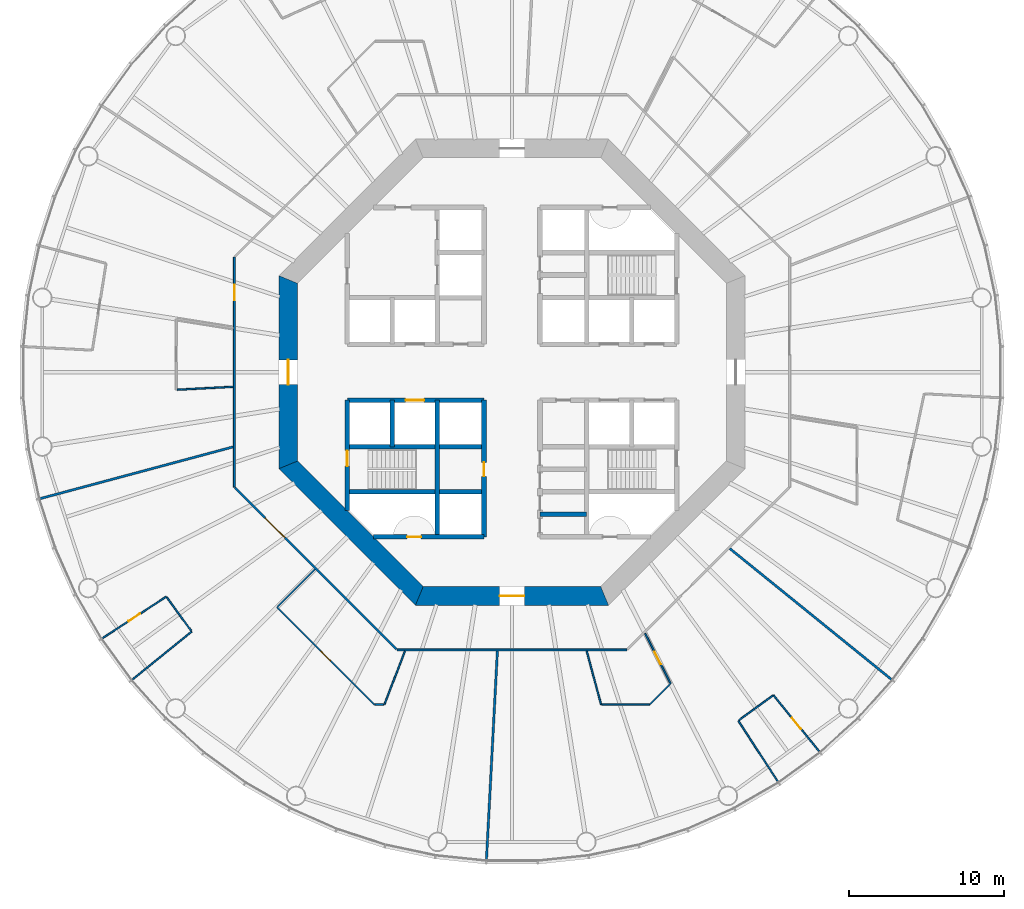
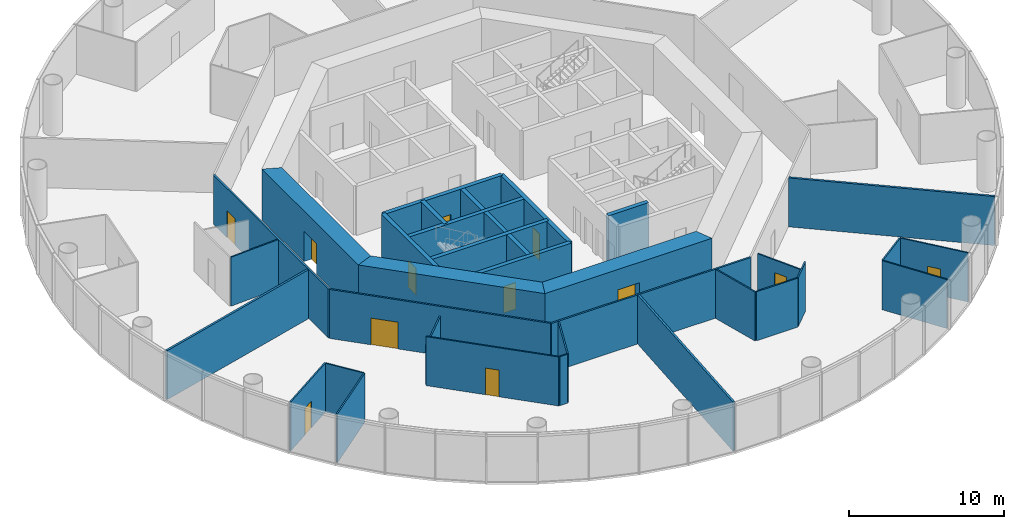
# One storey, part 3 of 13: 33 walls, 12 doors, 12 openings.
"""IFC4 building model written with IfcOpenShell, lengths in metres."""

from ifc_helpers import new_model, si_unit, direction, frame, frame_2d, origin, place, context, subcontext, project, spatial, polyline, rectangle, outline, extrude, material, layer, layer_set, type_object, element, fill, save


model = new_model("IFC4")

# Units and contexts
model_context = context("Model", 3, precision=1e-05, world=origin(), true_north=direction((0.0, 1.0)))
body_context = subcontext(model_context, "Body", "Model", "MODEL_VIEW")
ifc_project = project(units=[si_unit("LENGTHUNIT", "METRE"), si_unit("AREAUNIT", "SQUARE_METRE"), si_unit("VOLUMEUNIT", "CUBIC_METRE"), si_unit("PLANEANGLEUNIT", "RADIAN"), si_unit("MASSUNIT", "GRAM", prefix="KILO")], contexts=[model_context])

# Site, building, storey
site_placement = place(None, origin())
site = spatial("IfcSite", under=ifc_project, at=site_placement, CompositionType="ELEMENT")
building_placement = place(site_placement, origin())
building = spatial("IfcBuilding", under=site, at=building_placement, Name="Entoto Ring Tower", CompositionType="ELEMENT")
storey_placement = place(building_placement, frame((0.0, 0.0, 88.0)))
storey = spatial("IfcBuildingStorey", under=building, at=storey_placement, Name="L19", CompositionType="ELEMENT", Elevation=88.0)

# Wall, opening, door
ifc_material_1 = material(Name="Concrete C40/50", Category="concrete")
ifc_layer_1 = layer(ifc_material_1, 0.300048828125)
ifc_layer_set_1 = layer_set([ifc_layer_1], Name="Concrete C40/50")
wall_type_1 = type_object("IfcWallType", Name="Core enclosure wall 300 mm reinforced concrete", PredefinedType="SOLIDWALL", material=ifc_layer_set_1)
wall_1_placement = place(storey_placement, frame((88.199951171875, 69.39990234375, 0.0), z_axis=(0.0, 0.0, 1.0), x_axis=(0.0, 1.0, 0.0)))
wall_1 = element("IfcWall", 1, at=wall_1_placement, inside=storey, type_object=wall_type_1, Name="wall-L19-009", PredefinedType="SOLIDWALL", context=body_context, shape_type="SweptSolid", body=[
    extrude(rectangle(XDim=8.800048828125, YDim=0.300048828125, at=frame_2d((4.39990234375, 0.0))), origin(), (0.0, 0.0, 1.0), 3.85009765625),
])
opening_1_placement = place(wall_1_placement, frame((3.89990234375, 0.0, 0.0)))
opening_1 = element("IfcOpeningElement", 2, at=opening_1_placement, cuts=wall_1, Name="Opening K-57", PredefinedType="OPENING", context=body_context, shape_type="SweptSolid", body=[
    extrude(rectangle(XDim=0.89990234375, YDim=2.10009765625, at=frame_2d((0.449951171875, 1.050048828125))), frame((0.0, 0.16015625, 0.0), z_axis=(0.0, -1.0, 0.0), x_axis=(1.0, 0.0, 0.0)), (0.0, 0.0, 1.0), 0.320068359375),
])
ifc_material_2 = material(Name="Steel door leaf, fire rated", Category="steel")
ifc_layer_2 = layer(ifc_material_2, 0.050048828125)
ifc_layer_set_2 = layer_set([ifc_layer_2], Name="Steel door leaf, fire rated")
door_type_1 = type_object("IfcDoorType", Name="Core door 900 x 2100 single leaf", OperationType="NOTDEFINED", PredefinedType="DOOR", material=ifc_layer_set_2)
door_1_placement = place(opening_1_placement, origin())
door_1 = element("IfcDoor", 3, at=door_1_placement, inside=storey, type_object=door_type_1, Name="Door K-57", OperationType="SINGLE_SWING_RIGHT", OverallHeight=2.10009765625, OverallWidth=0.89990234375, PredefinedType="DOOR", context=body_context, shape_type="SweptSolid", body=[
    extrude(rectangle(XDim=0.89990234375, YDim=2.10009765625, at=frame_2d((0.449951171875, 1.050048828125))), frame((0.0, 0.02490234375, 0.0), z_axis=(0.0, -1.0, 0.0), x_axis=(1.0, 0.0, 0.0)), (0.0, 0.0, 1.0), 0.050048828125),
])
fill(opening_1, door_1)

# Walls
wall_2_placement = place(storey_placement, frame((85.199951171875, 69.39990234375, 0.0), z_axis=(0.0, 0.0, 1.0), x_axis=(0.0, 1.0, 0.0)))
element("IfcWall", 4, at=wall_2_placement, inside=storey, type_object=wall_type_1, Name="wall-L19-011", PredefinedType="SOLIDWALL", context=body_context, shape_type="SweptSolid", body=[
    extrude(rectangle(XDim=8.800048828125, YDim=0.300048828125, at=frame_2d((4.39990234375, 0.0))), origin(), (0.0, 0.0, 1.0), 3.85009765625),
])
wall_3_placement = place(storey_placement, frame((82.300048828125, 75.199951171875, 0.0), z_axis=(0.0, 0.0, 1.0), x_axis=(0.0, 1.0, 0.0)))
element("IfcWall", 5, at=wall_3_placement, inside=storey, type_object=wall_type_1, Name="wall-L19-013", PredefinedType="SOLIDWALL", context=body_context, shape_type="SweptSolid", body=[
    extrude(rectangle(XDim=3.0, YDim=0.300048828125, at=frame_2d((1.5, 0.0))), origin(), (0.0, 0.0, 1.0), 3.85009765625),
])

# Wall, opening, door
wall_4_placement = place(storey_placement, frame((79.39990234375, 71.083984375, 0.0), z_axis=(0.0, 0.0, 1.0), x_axis=(0.0, 1.0, 0.0)))
wall_4 = element("IfcWall", 6, at=wall_4_placement, inside=storey, type_object=wall_type_1, Name="wall-L19-015", PredefinedType="SOLIDWALL", context=body_context, shape_type="SweptSolid", body=[
    extrude(rectangle(XDim=7.115966796875, YDim=0.300048828125, at=frame_2d((3.55810546875, 0.0))), origin(), (0.0, 0.0, 1.0), 3.85009765625),
])
opening_2_placement = place(wall_4_placement, frame((2.8662109375, 0.0, 0.0)))
opening_2 = element("IfcOpeningElement", 7, at=opening_2_placement, cuts=wall_4, Name="Opening K-67", PredefinedType="OPENING", context=body_context, shape_type="SweptSolid", body=[
    extrude(rectangle(XDim=1.0, YDim=2.10009765625, at=frame_2d((0.5, 1.050048828125))), frame((0.0, 0.16015625, 0.0), z_axis=(0.0, -1.0, 0.0), x_axis=(1.0, 0.0, 0.0)), (0.0, 0.0, 1.0), 0.320068359375),
])
ifc_material_3 = material(Name="Steel door leaf, fire rated", Category="steel")
ifc_layer_3 = layer(ifc_material_3, 0.050048828125)
ifc_layer_set_3 = layer_set([ifc_layer_3], Name="Steel door leaf, fire rated")
door_type_2 = type_object("IfcDoorType", Name="Fire door FD60 1000 x 2100 single leaf", OperationType="NOTDEFINED", PredefinedType="DOOR", material=ifc_layer_set_3)
door_2_placement = place(opening_2_placement, frame((1.0, 0.0, 0.0), z_axis=(0.0, 0.0, 1.0), x_axis=(-1.0, 0.0, 0.0)))
door_2 = element("IfcDoor", 8, at=door_2_placement, inside=storey, type_object=door_type_2, Name="Door K-67", OperationType="SINGLE_SWING_LEFT", OverallHeight=2.10009765625, OverallWidth=1.0, PredefinedType="DOOR", context=body_context, shape_type="SweptSolid", body=[
    extrude(rectangle(XDim=1.0, YDim=2.10009765625, at=frame_2d((0.5, 1.050048828125))), frame((0.0, 0.02490234375, 0.0), z_axis=(0.0, -1.0, 0.0), x_axis=(1.0, 0.0, 0.0)), (0.0, 0.0, 1.0), 0.050048828125),
])
fill(opening_2, door_2)

wall_5_placement = place(storey_placement, frame((81.083984375, 69.39990234375, 0.0), z_axis=(0.0, 0.0, 1.0), x_axis=(1.0, 0.0, 0.0)))
wall_5 = element("IfcWall", 9, at=wall_5_placement, inside=storey, type_object=wall_type_1, Name="wall-L19-017", PredefinedType="SOLIDWALL", context=body_context, shape_type="SweptSolid", body=[
    extrude(rectangle(XDim=7.115966796875, YDim=0.300048828125, at=frame_2d((3.55810546875, 0.0))), origin(), (0.0, 0.0, 1.0), 3.85009765625),
])
opening_3_placement = place(wall_5_placement, frame((2.166015625, 0.0, 0.0)))
opening_3 = element("IfcOpeningElement", 10, at=opening_3_placement, cuts=wall_5, Name="Opening K-74", PredefinedType="OPENING", context=body_context, shape_type="SweptSolid", body=[
    extrude(rectangle(XDim=0.89990234375, YDim=2.10009765625, at=frame_2d((0.449951171875, 1.050048828125))), frame((0.0, 0.16015625, 0.0), z_axis=(0.0, -1.0, 0.0), x_axis=(1.0, 0.0, 0.0)), (0.0, 0.0, 1.0), 0.320068359375),
])
ifc_material_4 = material(Name="Steel door leaf, fire rated", Category="steel")
ifc_layer_4 = layer(ifc_material_4, 0.050048828125)
ifc_layer_set_4 = layer_set([ifc_layer_4], Name="Steel door leaf, fire rated")
door_type_3 = type_object("IfcDoorType", Name="Riser door FD60 900 x 2100 single leaf", OperationType="NOTDEFINED", PredefinedType="DOOR", material=ifc_layer_set_4)
door_3_placement = place(opening_3_placement, origin())
door_3 = element("IfcDoor", 11, at=door_3_placement, inside=storey, type_object=door_type_3, Name="Door K-74", OperationType="SINGLE_SWING_RIGHT", OverallHeight=2.10009765625, OverallWidth=0.89990234375, PredefinedType="DOOR", context=body_context, shape_type="SweptSolid", body=[
    extrude(rectangle(XDim=0.89990234375, YDim=2.10009765625, at=frame_2d((0.449951171875, 1.050048828125))), frame((0.0, 0.02490234375, 0.0), z_axis=(0.0, -1.0, 0.0), x_axis=(1.0, 0.0, 0.0)), (0.0, 0.0, 1.0), 0.050048828125),
])
fill(opening_3, door_3)

# Walls
wall_6_placement = place(storey_placement, frame((91.800048828125, 70.85009765625, 0.0), z_axis=(0.0, 0.0, 1.0), x_axis=(1.0, 0.0, 0.0)))
element("IfcWall", 12, at=wall_6_placement, inside=storey, type_object=wall_type_1, Name="wall-L19-019", PredefinedType="SOLIDWALL", context=body_context, shape_type="SweptSolid", body=[
    extrude(rectangle(XDim=3.0, YDim=0.300048828125, at=frame_2d((1.5, 0.0))), origin(), (0.0, 0.0, 1.0), 3.85009765625),
])
for number, where, z_axis, x_axis, name in (
    (13, (79.39990234375, 72.300048828125, 0.0), (0.0, 0.0, 1.0), (1.0, 0.0, 0.0), "wall-L19-020"),
    (14, (79.39990234375, 75.199951171875, 0.0), (0.0, 0.0, 1.0), (1.0, 0.0, 0.0), "wall-L19-023"),
):
    element("IfcWall", number, at=place(storey_placement, frame(where, z_axis=z_axis, x_axis=x_axis)), inside=storey, type_object=wall_type_1, Name=name, PredefinedType="SOLIDWALL", context=body_context, shape_type="SweptSolid", body=[
        extrude(rectangle(XDim=8.800048828125, YDim=0.300048828125, at=frame_2d((4.39990234375, 0.0))), origin(), (0.0, 0.0, 1.0), 3.85009765625),
    ])

# Wall, opening, door
wall_7_placement = place(storey_placement, frame((79.39990234375, 78.199951171875, 0.0), z_axis=(0.0, 0.0, 1.0), x_axis=(1.0, 0.0, 0.0)))
wall_7 = element("IfcWall", 15, at=wall_7_placement, inside=storey, type_object=wall_type_1, Name="wall-L19-025", PredefinedType="SOLIDWALL", context=body_context, shape_type="SweptSolid", body=[
    extrude(rectangle(XDim=8.800048828125, YDim=0.300048828125, at=frame_2d((4.39990234375, 0.0))), origin(), (0.0, 0.0, 1.0), 3.85009765625),
])
opening_4_placement = place(wall_7_placement, frame((3.75, 0.0, 0.0)))
opening_4 = element("IfcOpeningElement", 16, at=opening_4_placement, cuts=wall_7, Name="Opening LD", PredefinedType="OPENING", context=body_context, shape_type="SweptSolid", body=[
    extrude(rectangle(XDim=1.199951171875, YDim=2.10009765625, at=frame_2d((0.60009765625, 1.050048828125))), frame((0.0, 0.16015625, 0.0), z_axis=(0.0, -1.0, 0.0), x_axis=(1.0, 0.0, 0.0)), (0.0, 0.0, 1.0), 0.320068359375),
])
ifc_material_5 = material(Name="Steel and glass door leaf", Category="steel")
ifc_layer_5 = layer(ifc_material_5, 0.050048828125)
ifc_layer_set_5 = layer_set([ifc_layer_5], Name="Steel and glass door leaf")
door_type_4 = type_object("IfcDoorType", Name="Landing door 1200 x 2100 sliding", OperationType="DOUBLE_DOOR_SLIDING", PredefinedType="DOOR", material=ifc_layer_set_5)
door_4_placement = place(opening_4_placement, origin())
door_4 = element("IfcDoor", 17, at=door_4_placement, inside=storey, type_object=door_type_4, Name="Landing door LB6-LR", OperationType="SLIDING_TO_RIGHT", OverallHeight=2.10009765625, OverallWidth=1.199951171875, PredefinedType="DOOR", context=body_context, shape_type="SweptSolid", body=[
    extrude(rectangle(XDim=1.199951171875, YDim=2.10009765625, at=frame_2d((0.60009765625, 1.050048828125))), frame((0.0, 0.02490234375, 0.0), z_axis=(0.0, -1.0, 0.0), x_axis=(1.0, 0.0, 0.0)), (0.0, 0.0, 1.0), 0.050048828125),
])
fill(opening_4, door_4)

ifc_material_6 = material(Name="Concrete C60/75", Category="concrete")
ifc_layer_6 = layer(ifc_material_6, 1.199951171875)
ifc_layer_set_6 = layer_set([ifc_layer_6], Name="Concrete C60/75")
wall_type_2 = type_object("IfcWallType", Name="Core shear wall 1200 mm reinforced concrete C60/75", PredefinedType="SHEAR", material=ifc_layer_set_6)
wall_8_placement = place(storey_placement, frame((75.60009765625, 85.964599609375, 0.0), z_axis=(0.0, 0.0, 1.0), x_axis=(0.0, -1.0, 0.0)))
wall_8 = element("IfcWall", 18, at=wall_8_placement, inside=storey, type_object=wall_type_2, Name="wall-L19-core-4", PredefinedType="SHEAR", context=body_context, shape_type="SweptSolid", body=[
    extrude(outline(polyline([(-0.24853515625, -0.60009765625), (12.177734375, -0.60009765625), (11.6806640625, 0.60009765625), (0.24853515625, 0.60009765625), (-0.24853515625, -0.60009765625)])), origin(), (0.0, 0.0, 1.0), 4.0),
])
opening_5_placement = place(wall_8_placement, frame((5.164794921875, 0.0, 0.0)))
opening_5 = element("IfcOpeningElement", 19, at=opening_5_placement, cuts=wall_8, Name="Opening K-03", PredefinedType="OPENING", context=body_context, shape_type="SweptSolid", body=[
    extrude(rectangle(XDim=1.60009765625, YDim=2.39990234375, at=frame_2d((0.800048828125, 1.199951171875))), frame((0.0, 0.60986328125, 0.0), z_axis=(0.0, -1.0, 0.0), x_axis=(1.0, 0.0, 0.0)), (0.0, 0.0, 1.0), 1.219970703125),
])
ifc_material_7 = material(Name="Steel door leaf, fire rated", Category="steel")
ifc_layer_7 = layer(ifc_material_7, 0.050048828125)
ifc_layer_set_7 = layer_set([ifc_layer_7], Name="Steel door leaf, fire rated")
door_type_5 = type_object("IfcDoorType", Name="Entrance door FD60 1600 x 2400 double leaf", OperationType="DOUBLE_DOOR_SINGLE_SWING", PredefinedType="DOOR", material=ifc_layer_set_7)
door_5_placement = place(opening_5_placement, origin())
door_5 = element("IfcDoor", 20, at=door_5_placement, inside=storey, type_object=door_type_5, Name="Entrance door K-03", OperationType="DOUBLE_DOOR_SINGLE_SWING", OverallHeight=2.39990234375, OverallWidth=1.60009765625, PredefinedType="DOOR", context=body_context, shape_type="SweptSolid", body=[
    extrude(rectangle(XDim=1.60009765625, YDim=2.39990234375, at=frame_2d((0.800048828125, 1.199951171875))), frame((0.0, 0.02490234375, 0.0), z_axis=(0.0, -1.0, 0.0), x_axis=(1.0, 0.0, 0.0)), (0.0, 0.0, 1.0), 0.050048828125),
])
fill(opening_5, door_5)

# Wall
wall_9_placement = place(storey_placement, frame((75.60009765625, 74.035400390625, 0.0), z_axis=(0.0, 0.0, 1.0), x_axis=(0.707106781187, -0.707106781187, 0.0)))
element("IfcWall", 21, at=wall_9_placement, inside=storey, type_object=wall_type_2, Name="wall-L19-core-5", PredefinedType="SHEAR", context=body_context, shape_type="SweptSolid", body=[
    extrude(outline(polyline([(-0.24853515625, -0.60009765625), (12.177734375, -0.60009765625), (11.6806640625, 0.60009765625), (0.24853515625, 0.60009765625), (-0.24853515625, -0.60009765625)])), origin(), (0.0, 0.0, 1.0), 4.0),
])

# Wall, opening, door
wall_10_placement = place(storey_placement, frame((84.035400390625, 65.60009765625, 0.0), z_axis=(0.0, 0.0, 1.0), x_axis=(1.0, 0.0, 0.0)))
wall_10 = element("IfcWall", 22, at=wall_10_placement, inside=storey, type_object=wall_type_2, Name="wall-L19-core-6", PredefinedType="SHEAR", context=body_context, shape_type="SweptSolid", body=[
    extrude(outline(polyline([(-0.24853515625, -0.60009765625), (12.177734375, -0.60009765625), (11.6806640625, 0.60009765625), (0.24853515625, 0.60009765625), (-0.24853515625, -0.60009765625)])), origin(), (0.0, 0.0, 1.0), 4.0),
])
opening_6_placement = place(wall_10_placement, frame((5.164794921875, 0.0, 0.0)))
opening_6 = element("IfcOpeningElement", 23, at=opening_6_placement, cuts=wall_10, Name="Opening K-04", PredefinedType="OPENING", context=body_context, shape_type="SweptSolid", body=[
    extrude(rectangle(XDim=1.60009765625, YDim=2.39990234375, at=frame_2d((0.800048828125, 1.199951171875))), frame((0.0, 0.60986328125, 0.0), z_axis=(0.0, -1.0, 0.0), x_axis=(1.0, 0.0, 0.0)), (0.0, 0.0, 1.0), 1.219970703125),
])
door_6_placement = place(opening_6_placement, origin())
door_6 = element("IfcDoor", 24, at=door_6_placement, inside=storey, type_object=door_type_5, Name="Entrance door K-04", OperationType="DOUBLE_DOOR_SINGLE_SWING", OverallHeight=2.39990234375, OverallWidth=1.60009765625, PredefinedType="DOOR", context=body_context, shape_type="SweptSolid", body=[
    extrude(rectangle(XDim=1.60009765625, YDim=2.39990234375, at=frame_2d((0.800048828125, 1.199951171875))), frame((0.0, 0.02490234375, 0.0), z_axis=(0.0, -1.0, 0.0), x_axis=(1.0, 0.0, 0.0)), (0.0, 0.0, 1.0), 0.050048828125),
])
fill(opening_6, door_6)

ifc_material_8 = material(Name="Fire-resisting plasterboard on steel studs", Category="steel")
ifc_layer_8 = layer(ifc_material_8, 0.125)
ifc_layer_set_8 = layer_set([ifc_layer_8], Name="Fire-resisting plasterboard on steel studs")
wall_type_3 = type_object("IfcWallType", Name="Corridor wall 125 mm one-hour plasterboard on steel studs", PredefinedType="PARTITIONING", material=ifc_layer_set_8)
wall_11_placement = place(storey_placement, frame((72.137451171875, 72.60107421875, 0.0), z_axis=(0.0, 0.0, 1.0), x_axis=(0.0, 1.0, 0.0)))
wall_11 = element("IfcWall", 25, at=wall_11_placement, inside=storey, type_object=wall_type_3, Name="partition-L19-001", PredefinedType="PARTITIONING", context=body_context, shape_type="SweptSolid", body=[
    extrude(rectangle(XDim=14.7978515625, YDim=0.125, at=frame_2d((7.39892578125, 0.0))), origin(), (0.0, 0.0, 1.0), 3.85009765625),
])
opening_7_placement = place(wall_11_placement, frame((12.012939453125, 0.0, 0.0)))
opening_7 = element("IfcOpeningElement", 26, at=opening_7_placement, cuts=wall_11, Name="Opening A08-D10", PredefinedType="OPENING", context=body_context, shape_type="SweptSolid", body=[
    extrude(rectangle(XDim=1.0, YDim=2.10009765625, at=frame_2d((0.5, 1.050048828125))), frame((0.0, 0.072509765625, 0.0), z_axis=(0.0, -1.0, 0.0), x_axis=(1.0, 0.0, 0.0)), (0.0, 0.0, 1.0), 0.14501953125),
])
ifc_material_9 = material(Name="Fire-resisting timber door set", Category="wood")
door_type_6 = type_object("IfcDoorType", Name="Door 1000 x 2100 single leaf FD30S fire door", OperationType="NOTDEFINED", PredefinedType="DOOR", material=ifc_material_9)
door_7_placement = place(opening_7_placement, origin())
door_7 = element("IfcDoor", 27, at=door_7_placement, inside=storey, type_object=door_type_6, Name="Door A08-D10", OperationType="SINGLE_SWING_LEFT", OverallHeight=2.10009765625, OverallWidth=1.0, PredefinedType="DOOR", context=body_context, shape_type="SweptSolid", body=[
    extrude(rectangle(XDim=1.0, YDim=2.10009765625, at=frame_2d((0.5, 1.050048828125))), frame((0.0, 0.02490234375, 0.0), z_axis=(0.0, -1.0, 0.0), x_axis=(1.0, 0.0, 0.0)), (0.0, 0.0, 1.0), 0.050048828125),
])
fill(opening_7, door_7)

# Wall
wall_12_placement = place(storey_placement, frame((82.60107421875, 62.137451171875, 0.0), z_axis=(0.0, 0.0, 1.0), x_axis=(1.0, 0.0, 0.0)))
element("IfcWall", 28, at=wall_12_placement, inside=storey, type_object=wall_type_3, Name="partition-L19-002", PredefinedType="PARTITIONING", context=body_context, shape_type="SweptSolid", body=[
    extrude(rectangle(XDim=14.7978515625, YDim=0.125, at=frame_2d((7.39892578125, 0.0))), origin(), (0.0, 0.0, 1.0), 3.85009765625),
])

# Wall, opening, door
wall_13_placement = place(storey_placement, frame((82.570068359375, 62.168701171875, 0.0), z_axis=(0.0, 0.0, 1.0), x_axis=(-0.707106781187, 0.707106781187, 0.0)))
wall_13 = element("IfcWall", 29, at=wall_13_placement, inside=storey, type_object=wall_type_3, Name="partition-L19-006", PredefinedType="PARTITIONING", context=body_context, shape_type="SweptSolid", body=[
    extrude(rectangle(XDim=14.709716796875, YDim=0.125, at=frame_2d((7.35498046875, 0.0))), origin(), (0.0, 0.0, 1.0), 3.85009765625),
])
opening_8_placement = place(wall_13_placement, frame((10.154296875, 0.0, 0.0)))
opening_8 = element("IfcOpeningElement", 30, at=opening_8_placement, cuts=wall_13, Name="Opening A08-D13", PredefinedType="OPENING", context=body_context, shape_type="SweptSolid", body=[
    extrude(rectangle(XDim=1.800048828125, YDim=2.10009765625, at=frame_2d((0.89990234375, 1.050048828125))), frame((0.0, 0.072509765625, 0.0), z_axis=(0.0, -1.0, 0.0), x_axis=(1.0, 0.0, 0.0)), (0.0, 0.0, 1.0), 0.14501953125),
])
ifc_material_10 = material(Name="Fire-resisting timber door set", Category="wood")
door_type_7 = type_object("IfcDoorType", Name="Door 1800 x 2100 double leaf FD30S fire door", OperationType="DOUBLE_DOOR_SINGLE_SWING", PredefinedType="DOOR", material=ifc_material_10)
door_8_placement = place(opening_8_placement, origin())
door_8 = element("IfcDoor", 31, at=door_8_placement, inside=storey, type_object=door_type_7, Name="Door A08-D13", OperationType="DOUBLE_DOOR_SINGLE_SWING", OverallHeight=2.10009765625, OverallWidth=1.800048828125, PredefinedType="DOOR", context=body_context, shape_type="SweptSolid", body=[
    extrude(rectangle(XDim=1.800048828125, YDim=2.10009765625, at=frame_2d((0.89990234375, 1.050048828125))), frame((0.0, 0.02490234375, 0.0), z_axis=(0.0, -1.0, 0.0), x_axis=(1.0, 0.0, 0.0)), (0.0, 0.0, 1.0), 0.050048828125),
])
fill(opening_8, door_8)

ifc_material_11 = material(Name="Plasterboard on steel studs", Category="steel")
ifc_layer_9 = layer(ifc_material_11, 0.10009765625)
ifc_layer_set_9 = layer_set([ifc_layer_9], Name="Plasterboard on steel studs")
wall_type_4 = type_object("IfcWallType", Name="Partition 100 mm plasterboard on steel studs", PredefinedType="PARTITIONING", material=ifc_layer_set_9)
wall_14_placement = place(storey_placement, frame((81.14306640625, 58.617431640625, 0.0), z_axis=(0.0, 0.0, 1.0), x_axis=(-0.707092998638, 0.707120563467, 0.0)))
wall_14 = element("IfcWall", 32, at=wall_14_placement, inside=storey, type_object=wall_type_4, Name="partition-L19-015", PredefinedType="PARTITIONING", context=body_context, shape_type="SweptSolid", body=[
    extrude(rectangle(XDim=8.85693359375, YDim=0.10009765625, at=frame_2d((4.428466796875, 0.0))), origin(), (0.0, 0.0, 1.0), 3.85009765625),
])
opening_9_placement = place(wall_14_placement, frame((3.978515625, 0.0, 0.0)))
opening_9 = element("IfcOpeningElement", 33, at=opening_9_placement, cuts=wall_14, Name="Opening A08-D14", PredefinedType="OPENING", context=body_context, shape_type="SweptSolid", body=[
    extrude(rectangle(XDim=0.89990234375, YDim=2.10009765625, at=frame_2d((0.449951171875, 1.050048828125))), frame((0.0, 0.06005859375, 0.0), z_axis=(0.0, -1.0, 0.0), x_axis=(1.0, 0.0, 0.0)), (0.0, 0.0, 1.0), 0.1201171875),
])
ifc_material_12 = material(Name="Veneered timber door leaf in timber frame", Category="wood")
door_type_8 = type_object("IfcDoorType", Name="Door 900 x 2100 single leaf timber veneer", OperationType="NOTDEFINED", PredefinedType="DOOR", material=ifc_material_12)
door_9_placement = place(opening_9_placement, frame((0.89990234375, 0.0, 0.0), z_axis=(0.0, 0.0, 1.0), x_axis=(-1.0, 0.0, 0.0)))
door_9 = element("IfcDoor", 34, at=door_9_placement, inside=storey, type_object=door_type_8, Name="Door A08-D14", OperationType="SINGLE_SWING_LEFT", OverallHeight=2.10009765625, OverallWidth=0.89990234375, PredefinedType="DOOR", context=body_context, shape_type="SweptSolid", body=[
    extrude(rectangle(XDim=0.89990234375, YDim=2.10009765625, at=frame_2d((0.449951171875, 1.050048828125))), frame((0.0, 0.02490234375, 0.0), z_axis=(0.0, -1.0, 0.0), x_axis=(1.0, 0.0, 0.0)), (0.0, 0.0, 1.0), 0.050048828125),
])
fill(opening_9, door_9)

wall_15_placement = place(storey_placement, frame((63.632080078125, 62.87646484375, 0.0), z_axis=(0.0, 0.0, 1.0), x_axis=(0.838677075935, 0.544629013458, 0.0)))
wall_15 = element("IfcWall", 35, at=wall_15_placement, inside=storey, type_object=wall_type_4, Name="partition-L19-022", PredefinedType="PARTITIONING", context=body_context, shape_type="SweptSolid", body=[
    extrude(rectangle(XDim=4.920166015625, YDim=0.10009765625, at=frame_2d((2.4599609375, 0.0))), origin(), (0.0, 0.0, 1.0), 3.85009765625),
])
opening_10_placement = place(wall_15_placement, frame((2.010009765625, 0.0, 0.0)))
opening_10 = element("IfcOpeningElement", 36, at=opening_10_placement, cuts=wall_15, Name="Opening A08-D15", PredefinedType="OPENING", context=body_context, shape_type="SweptSolid", body=[
    extrude(rectangle(XDim=0.89990234375, YDim=2.10009765625, at=frame_2d((0.449951171875, 1.050048828125))), frame((0.0, 0.06005859375, 0.0), z_axis=(0.0, -1.0, 0.0), x_axis=(1.0, 0.0, 0.0)), (0.0, 0.0, 1.0), 0.1201171875),
])
door_10_placement = place(opening_10_placement, frame((0.89990234375, 0.0, 0.0), z_axis=(0.0, 0.0, 1.0), x_axis=(-1.0, 0.0, 0.0)))
door_10 = element("IfcDoor", 37, at=door_10_placement, inside=storey, type_object=door_type_8, Name="Door A08-D15", OperationType="SINGLE_SWING_RIGHT", OverallHeight=2.10009765625, OverallWidth=0.89990234375, PredefinedType="DOOR", context=body_context, shape_type="SweptSolid", body=[
    extrude(rectangle(XDim=0.89990234375, YDim=2.10009765625, at=frame_2d((0.449951171875, 1.050048828125))), frame((0.0, 0.02490234375, 0.0), z_axis=(0.0, -1.0, 0.0), x_axis=(1.0, 0.0, 0.0)), (0.0, 0.0, 1.0), 0.050048828125),
])
fill(opening_10, door_10)

# Wall
wall_16_placement = place(storey_placement, frame((65.56640625, 60.214111328125, 0.0), z_axis=(0.0, 0.0, 1.0), x_axis=(0.777166286513, 0.629295290867, 0.0)))
element("IfcWall", 38, at=wall_16_placement, inside=storey, type_object=wall_type_4, Name="partition-L19-023", PredefinedType="PARTITIONING", context=body_context, shape_type="SweptSolid", body=[
    extrude(rectangle(XDim=4.920166015625, YDim=0.10009765625, at=frame_2d((2.4599609375, 0.0))), origin(), (0.0, 0.0, 1.0), 3.85009765625),
])

# Wall, opening, door
wall_17_placement = place(storey_placement, frame((109.785888671875, 55.56640625, 0.0), z_axis=(0.0, 0.0, 1.0), x_axis=(-0.629346149209, 0.777125102204, 0.0)))
wall_17 = element("IfcWall", 39, at=wall_17_placement, inside=storey, type_object=wall_type_4, Name="partition-L19-026", PredefinedType="PARTITIONING", context=body_context, shape_type="SweptSolid", body=[
    extrude(rectangle(XDim=4.7001953125, YDim=0.10009765625, at=frame_2d((2.35009765625, 0.0))), origin(), (0.0, 0.0, 1.0), 3.85009765625),
])
opening_11_placement = place(wall_17_placement, frame((1.89990234375, 0.0, 0.0)))
opening_11 = element("IfcOpeningElement", 40, at=opening_11_placement, cuts=wall_17, Name="Opening A08-D18", PredefinedType="OPENING", context=body_context, shape_type="SweptSolid", body=[
    extrude(rectangle(XDim=0.89990234375, YDim=2.10009765625, at=frame_2d((0.449951171875, 1.050048828125))), frame((0.0, 0.06005859375, 0.0), z_axis=(0.0, -1.0, 0.0), x_axis=(1.0, 0.0, 0.0)), (0.0, 0.0, 1.0), 0.1201171875),
])
door_11_placement = place(opening_11_placement, origin())
door_11 = element("IfcDoor", 41, at=door_11_placement, inside=storey, type_object=door_type_8, Name="Door A08-D18", OperationType="SINGLE_SWING_LEFT", OverallHeight=2.10009765625, OverallWidth=0.89990234375, PredefinedType="DOOR", context=body_context, shape_type="SweptSolid", body=[
    extrude(rectangle(XDim=0.89990234375, YDim=2.10009765625, at=frame_2d((0.449951171875, 1.050048828125))), frame((0.0, 0.02490234375, 0.0), z_axis=(0.0, -1.0, 0.0), x_axis=(1.0, 0.0, 0.0)), (0.0, 0.0, 1.0), 0.050048828125),
])
fill(opening_11, door_11)

# Walls
wall_18_placement = place(storey_placement, frame((107.12353515625, 53.632080078125, 0.0), z_axis=(0.0, 0.0, 1.0), x_axis=(-0.54462679562, 0.838678516174, 0.0)))
element("IfcWall", 42, at=wall_18_placement, inside=storey, type_object=wall_type_4, Name="partition-L19-027", PredefinedType="PARTITIONING", context=body_context, shape_type="SweptSolid", body=[
    extrude(rectangle(XDim=4.7001953125, YDim=0.10009765625, at=frame_2d((2.35009765625, 0.0))), origin(), (0.0, 0.0, 1.0), 3.85009765625),
])
wall_19_placement = place(storey_placement, frame((81.7919921875, 58.617431640625, 0.0), z_axis=(0.0, 0.0, 1.0), x_axis=(0.358352911107, 0.933586199074, 0.0)))
element("IfcWall", 43, at=wall_19_placement, inside=storey, type_object=wall_type_4, Name="partition-L19-041", PredefinedType="PARTITIONING", context=body_context, shape_type="SweptSolid", body=[
    extrude(rectangle(XDim=3.684326171875, YDim=0.10009765625, at=frame_2d((1.84228515625, 0.0))), origin(), (0.0, 0.0, 1.0), 3.85009765625),
])
wall_20_placement = place(storey_placement, frame((68.4501953125, 78.87060546875, 0.0), z_axis=(0.0, 0.0, 1.0), x_axis=(0.998628036572, 0.052364535449, 0.0)))
element("IfcWall", 44, at=wall_20_placement, inside=storey, type_object=wall_type_4, Name="partition-L19-042", PredefinedType="PARTITIONING", context=body_context, shape_type="SweptSolid", body=[
    extrude(rectangle(XDim=3.627197265625, YDim=0.10009765625, at=frame_2d((1.8134765625, 0.0))), origin(), (0.0, 0.0, 1.0), 3.85009765625),
])
wall_21_placement = place(storey_placement, frame((95.732177734375, 58.607421875, 0.0), z_axis=(0.0, 0.0, 1.0), x_axis=(-0.258835028784, 0.965921543333, 0.0)))
element("IfcWall", 45, at=wall_21_placement, inside=storey, type_object=wall_type_4, Name="partition-L19-044", PredefinedType="PARTITIONING", context=body_context, shape_type="SweptSolid", body=[
    extrude(rectangle(XDim=3.57666015625, YDim=0.10009765625, at=frame_2d((1.788330078125, 0.0))), origin(), (0.0, 0.0, 1.0), 3.85009765625),
])
wall_22_placement = place(storey_placement, frame((95.7802734375, 58.607421875, 0.0), z_axis=(0.0, 0.0, 1.0), x_axis=(1.0, 0.0, 0.0)))
element("IfcWall", 46, at=wall_22_placement, inside=storey, type_object=wall_type_4, Name="partition-L19-048", PredefinedType="PARTITIONING", context=body_context, shape_type="SweptSolid", body=[
    extrude(rectangle(XDim=3.080810546875, YDim=0.10009765625, at=frame_2d((1.54052734375, 0.0))), origin(), (0.0, 0.0, 1.0), 3.85009765625),
])
wall_23_placement = place(storey_placement, frame((104.60400390625, 57.603271484375, 0.0), z_axis=(0.0, 0.0, 1.0), x_axis=(0.809025440911, 0.587773626458, 0.0)))
element("IfcWall", 47, at=wall_23_placement, inside=storey, type_object=wall_type_4, Name="partition-L19-050", PredefinedType="PARTITIONING", context=body_context, shape_type="SweptSolid", body=[
    extrude(rectangle(XDim=2.698974609375, YDim=0.10009765625, at=frame_2d((1.349609375, 0.0))), origin(), (0.0, 0.0, 1.0), 3.85009765625),
])
wall_24_placement = place(storey_placement, frame((69.360595703125, 63.350830078125, 0.0), z_axis=(0.0, 0.0, 1.0), x_axis=(-0.587726783313, 0.809059471347, 0.0)))
element("IfcWall", 48, at=wall_24_placement, inside=storey, type_object=wall_type_4, Name="partition-L19-051", PredefinedType="PARTITIONING", context=body_context, shape_type="SweptSolid", body=[
    extrude(rectangle(XDim=2.676025390625, YDim=0.10009765625, at=frame_2d((1.337890625, 0.0))), origin(), (0.0, 0.0, 1.0), 3.85009765625),
])
wall_25_placement = place(storey_placement, frame((98.885986328125, 58.63232421875, 0.0), z_axis=(0.0, 0.0, 1.0), x_axis=(0.707039987933, 0.707173568131, 0.0)))
element("IfcWall", 49, at=wall_25_placement, inside=storey, type_object=wall_type_4, Name="partition-L19-052", PredefinedType="PARTITIONING", context=body_context, shape_type="SweptSolid", body=[
    extrude(rectangle(XDim=1.82763671875, YDim=0.10009765625, at=frame_2d((0.913818359375, 0.0))), origin(), (0.0, 0.0, 1.0), 3.85009765625),
])
wall_26_placement = place(storey_placement, frame((81.17822265625, 58.617431640625, 0.0), z_axis=(0.0, 0.0, 1.0), x_axis=(1.0, 0.0, 0.0)))
element("IfcWall", 50, at=wall_26_placement, inside=storey, type_object=wall_type_4, Name="partition-L19-053", PredefinedType="PARTITIONING", context=body_context, shape_type="SweptSolid", body=[
    extrude(rectangle(XDim=0.5673828125, YDim=0.10009765625, at=frame_2d((0.28369140625, 0.0))), origin(), (0.0, 0.0, 1.0), 3.85009765625),
])

# Wall, opening, door
ifc_material_13 = material(Name="Plasterboard on steel studs", Category="steel")
ifc_layer_10 = layer(ifc_material_13, 0.10009765625)
ifc_layer_set_10 = layer_set([ifc_layer_10], Name="Plasterboard on steel studs")
wall_type_5 = type_object("IfcWallType", Name="Partition 100 mm plasterboard on steel studs, 3097 mm high", PredefinedType="PARTITIONING", material=ifc_layer_set_10)
wall_27_placement = place(storey_placement, frame((100.2119140625, 59.958251953125, 0.0), z_axis=(0.0, 0.0, 1.0), x_axis=(-0.454007393054, 0.890997916413, 0.0)))
wall_27 = element("IfcWall", 51, at=wall_27_placement, inside=storey, type_object=wall_type_5, Name="partition-L19-043", PredefinedType="PARTITIONING", context=body_context, shape_type="SweptSolid", body=[
    extrude(rectangle(XDim=3.6298828125, YDim=0.10009765625, at=frame_2d((1.81494140625, 0.0))), origin(), (0.0, 0.0, 1.0), 3.096923828125),
])
opening_12_placement = place(wall_27_placement, frame((1.40576171875, 0.0, 0.0)))
opening_12 = element("IfcOpeningElement", 52, at=opening_12_placement, cuts=wall_27, Name="Opening A08-D17", PredefinedType="OPENING", context=body_context, shape_type="SweptSolid", body=[
    extrude(rectangle(XDim=0.89990234375, YDim=2.10009765625, at=frame_2d((0.449951171875, 1.050048828125))), frame((0.0, 0.06005859375, 0.0), z_axis=(0.0, -1.0, 0.0), x_axis=(1.0, 0.0, 0.0)), (0.0, 0.0, 1.0), 0.1201171875),
])
door_12_placement = place(opening_12_placement, origin())
door_12 = element("IfcDoor", 53, at=door_12_placement, inside=storey, type_object=door_type_8, Name="Door A08-D17", OperationType="SINGLE_SWING_RIGHT", OverallHeight=2.10009765625, OverallWidth=0.89990234375, PredefinedType="DOOR", context=body_context, shape_type="SweptSolid", body=[
    extrude(rectangle(XDim=0.89990234375, YDim=2.10009765625, at=frame_2d((0.449951171875, 1.050048828125))), frame((0.0, 0.02490234375, 0.0), z_axis=(0.0, -1.0, 0.0), x_axis=(1.0, 0.0, 0.0)), (0.0, 0.0, 1.0), 0.050048828125),
])
fill(opening_12, door_12)

# Walls
wall_28_placement = place(storey_placement, frame((74.915771484375, 64.915771484375, 0.0), z_axis=(0.0, 0.0, 1.0), x_axis=(0.707106781187, 0.707106781187, 0.0)))
element("IfcWall", 54, at=wall_28_placement, inside=storey, type_object=wall_type_5, Name="partition-L19-046", PredefinedType="PARTITIONING", context=body_context, shape_type="SweptSolid", body=[
    extrude(rectangle(XDim=3.406982421875, YDim=0.10009765625, at=frame_2d((1.70361328125, 0.0))), origin(), (0.0, 0.0, 1.0), 3.096923828125),
])
ifc_material_14 = material(Name="Fire-resisting acoustic plasterboard on steel studs", Category="steel")
ifc_layer_11 = layer(ifc_material_14, 0.14990234375)
ifc_layer_set_11 = layer_set([ifc_layer_11], Name="Fire-resisting acoustic plasterboard on steel studs")
wall_type_6 = type_object("IfcWallType", Name="Party wall 150 mm one-hour acoustic plasterboard on steel studs", PredefinedType="PARTITIONING", material=ifc_layer_set_11)
wall_29_placement = place(storey_placement, frame((88.3544921875, 48.60302734375, 0.0), z_axis=(0.0, 0.0, 1.0), x_axis=(0.052334599665, 0.998629605849, 0.0)))
element("IfcWall", 55, at=wall_29_placement, inside=storey, type_object=wall_type_6, Name="partition-L19-009", PredefinedType="PARTITIONING", context=body_context, shape_type="SweptSolid", body=[
    extrude(rectangle(XDim=13.486572265625, YDim=0.14990234375, at=frame_2d((6.7431640625, 0.0))), origin(), (0.0, 0.0, 1.0), 3.85009765625),
])
wall_30_placement = place(storey_placement, frame((114.43359375, 60.214111328125, 0.0), z_axis=(0.0, 0.0, 1.0), x_axis=(-0.777147761194, 0.629318168553, 0.0)))
element("IfcWall", 56, at=wall_30_placement, inside=storey, type_object=wall_type_6, Name="partition-L19-011", PredefinedType="PARTITIONING", context=body_context, shape_type="SweptSolid", body=[
    extrude(rectangle(XDim=13.408447265625, YDim=0.14990234375, at=frame_2d((6.7041015625, 0.0))), origin(), (0.0, 0.0, 1.0), 3.85009765625),
])
wall_31_placement = place(storey_placement, frame((59.63134765625, 71.86279296875, 0.0), z_axis=(0.0, 0.0, 1.0), x_axis=(0.965925515019, 0.258820206775, 0.0)))
element("IfcWall", 57, at=wall_31_placement, inside=storey, type_object=wall_type_6, Name="partition-L19-013", PredefinedType="PARTITIONING", context=body_context, shape_type="SweptSolid", body=[
    extrude(rectangle(XDim=12.862548828125, YDim=0.14990234375, at=frame_2d((6.43115234375, 0.0))), origin(), (0.0, 0.0, 1.0), 3.85009765625),
])

save(model, "model.ifc")
